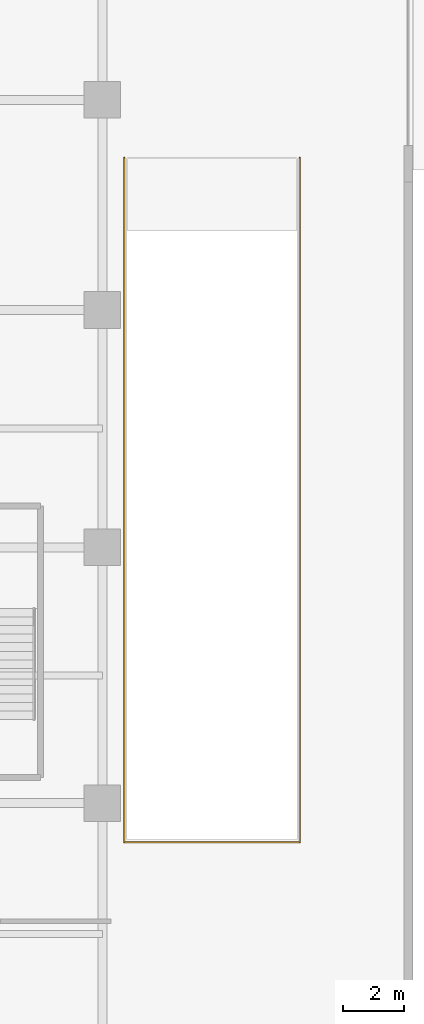
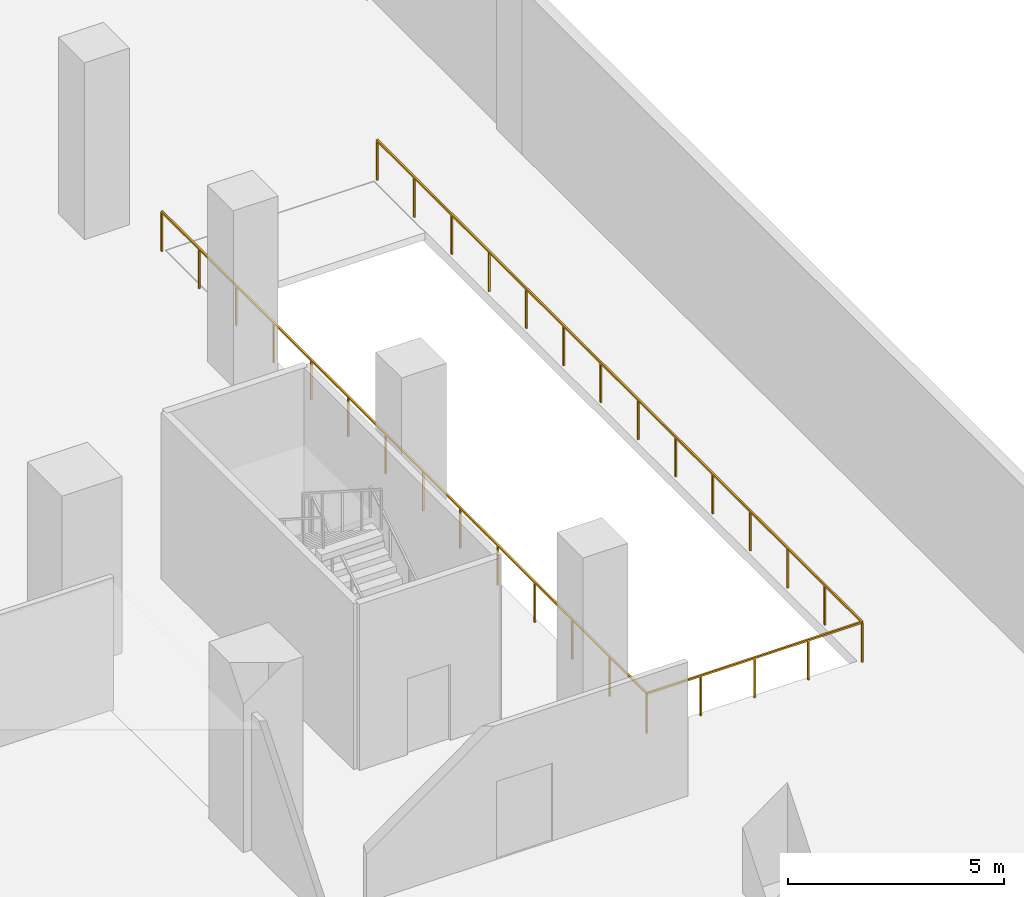
# One storey, part 26 of 27: 1 railing.
"""IFC4 building model written with IfcOpenShell, lengths in metres."""

from ifc_helpers import new_model, si_unit, direction, frame, origin, origin_2d, place, context, subcontext, project, spatial, rectangle, extrude, material, type_object, element, save


model = new_model("IFC4")

# Units and contexts
model_context = context("Model", 3, precision=1e-05, world=origin(), true_north=direction((0.0, 1.0)))
body_context = subcontext(model_context, "Body", "Model", "MODEL_VIEW")
ifc_project = project(units=[si_unit("LENGTHUNIT", "METRE"), si_unit("AREAUNIT", "SQUARE_METRE"), si_unit("VOLUMEUNIT", "CUBIC_METRE"), si_unit("PLANEANGLEUNIT", "RADIAN"), si_unit("MASSUNIT", "GRAM", prefix="KILO")], contexts=[model_context])

# Site, building, storey
site_placement = place(None, origin())
site = spatial("IfcSite", under=ifc_project, at=site_placement, CompositionType="ELEMENT")
building_placement = place(site_placement, origin())
building = spatial("IfcBuilding", under=site, at=building_placement, Name="Zarnakvel Exchange Tower", CompositionType="ELEMENT")
storey_placement = place(building_placement, origin())
storey = spatial("IfcBuildingStorey", under=building, at=storey_placement, Name="L00", CompositionType="ELEMENT", Elevation=0.0)

# Railing
ifc_material = material(Name="Architectural Bronze Anodised Aluminium", Category="aluminium")
railing_type = type_object("IfcRailingType", Name="SG-01", PredefinedType="GUARDRAIL", material=ifc_material)
railing_placement = place(storey_placement, frame((31.320068359375, 11.60009765625, 0.0)))
element("IfcRailing", 1, at=railing_placement, inside=storey, type_object=railing_type, Name="L00 Car Park Ramp Void Guardrail", PredefinedType="GUARDRAIL", context=body_context, shape_type="SweptSolid", body=[
    extrude(rectangle(XDim=0.048095703125, YDim=0.048095703125, at=origin_2d()), frame((0.0, 0.0, 1.1259765625), z_axis=(0.0, -1.0, 0.0), x_axis=(1.0, 0.0, 0.0)), (0.0, 0.0, 1.0), 22.47998046875),
    extrude(rectangle(XDim=0.048095703125, YDim=0.048095703125, at=origin_2d()), frame((0.0, -22.47998046875, 1.1259765625), z_axis=(1.0, 0.0, 0.0), x_axis=(0.0, 1.0, 0.0)), (0.0, 0.0, 1.0), 5.760009765625),
    extrude(rectangle(XDim=0.048095703125, YDim=0.048095703125, at=origin_2d()), frame((5.760009765625, -22.47998046875, 1.1259765625), z_axis=(0.0, 1.0, 0.0), x_axis=(-1.0, 0.0, 0.0)), (0.0, 0.0, 1.0), 22.47998046875),
    extrude(rectangle(XDim=0.0419921875, YDim=0.0419921875, at=origin_2d()), origin(), (0.0, 0.0, 1.0), 1.101806640625),
    extrude(rectangle(XDim=0.0419921875, YDim=0.0419921875, at=origin_2d()), frame((0.0, -1.729248046875, 0.0)), (0.0, 0.0, 1.0), 1.101806640625),
    extrude(rectangle(XDim=0.0419921875, YDim=0.0419921875, at=origin_2d()), frame((0.0, -3.45849609375, 0.0)), (0.0, 0.0, 1.0), 1.101806640625),
    extrude(rectangle(XDim=0.0419921875, YDim=0.0419921875, at=origin_2d()), frame((0.0, -5.187744140625, 0.0)), (0.0, 0.0, 1.0), 1.101806640625),
    extrude(rectangle(XDim=0.0419921875, YDim=0.0419921875, at=origin_2d()), frame((0.0, -6.9169921875, 0.0)), (0.0, 0.0, 1.0), 1.101806640625),
    extrude(rectangle(XDim=0.0419921875, YDim=0.0419921875, at=origin_2d()), frame((0.0, -8.646240234375, 0.0)), (0.0, 0.0, 1.0), 1.101806640625),
    extrude(rectangle(XDim=0.0419921875, YDim=0.0419921875, at=origin_2d()), frame((0.0, -10.37548828125, 0.0)), (0.0, 0.0, 1.0), 1.101806640625),
    extrude(rectangle(XDim=0.0419921875, YDim=0.0419921875, at=origin_2d()), frame((0.0, -12.1044921875, 0.0)), (0.0, 0.0, 1.0), 1.101806640625),
    extrude(rectangle(XDim=0.0419921875, YDim=0.0419921875, at=origin_2d()), frame((0.0, -13.833740234375, 0.0)), (0.0, 0.0, 1.0), 1.101806640625),
    extrude(rectangle(XDim=0.0419921875, YDim=0.0419921875, at=origin_2d()), frame((0.0, -15.56298828125, 0.0)), (0.0, 0.0, 1.0), 1.101806640625),
    extrude(rectangle(XDim=0.0419921875, YDim=0.0419921875, at=origin_2d()), frame((0.0, -17.292236328125, 0.0)), (0.0, 0.0, 1.0), 1.101806640625),
    extrude(rectangle(XDim=0.0419921875, YDim=0.0419921875, at=origin_2d()), frame((0.0, -19.021484375, 0.0)), (0.0, 0.0, 1.0), 1.101806640625),
    extrude(rectangle(XDim=0.0419921875, YDim=0.0419921875, at=origin_2d()), frame((0.0, -20.750732421875, 0.0)), (0.0, 0.0, 1.0), 1.101806640625),
    extrude(rectangle(XDim=0.0419921875, YDim=0.0419921875, at=origin_2d()), frame((0.0, -22.47998046875, 0.0)), (0.0, 0.0, 1.0), 1.101806640625),
    extrude(rectangle(XDim=0.0419921875, YDim=0.0419921875, at=origin_2d()), frame((1.43994140625, -22.47998046875, 0.0)), (0.0, 0.0, 1.0), 1.101806640625),
    extrude(rectangle(XDim=0.0419921875, YDim=0.0419921875, at=origin_2d()), frame((2.8798828125, -22.47998046875, 0.0)), (0.0, 0.0, 1.0), 1.101806640625),
    extrude(rectangle(XDim=0.0419921875, YDim=0.0419921875, at=origin_2d()), frame((4.320068359375, -22.47998046875, 0.0)), (0.0, 0.0, 1.0), 1.101806640625),
    extrude(rectangle(XDim=0.0419921875, YDim=0.0419921875, at=origin_2d()), frame((5.760009765625, -22.47998046875, 0.0)), (0.0, 0.0, 1.0), 1.101806640625),
    extrude(rectangle(XDim=0.0419921875, YDim=0.0419921875, at=origin_2d()), frame((5.760009765625, -20.750732421875, 0.0)), (0.0, 0.0, 1.0), 1.101806640625),
    extrude(rectangle(XDim=0.0419921875, YDim=0.0419921875, at=origin_2d()), frame((5.760009765625, -19.021484375, 0.0)), (0.0, 0.0, 1.0), 1.101806640625),
    extrude(rectangle(XDim=0.0419921875, YDim=0.0419921875, at=origin_2d()), frame((5.760009765625, -17.292236328125, 0.0)), (0.0, 0.0, 1.0), 1.101806640625),
    extrude(rectangle(XDim=0.0419921875, YDim=0.0419921875, at=origin_2d()), frame((5.760009765625, -15.56298828125, 0.0)), (0.0, 0.0, 1.0), 1.101806640625),
    extrude(rectangle(XDim=0.0419921875, YDim=0.0419921875, at=origin_2d()), frame((5.760009765625, -13.833740234375, 0.0)), (0.0, 0.0, 1.0), 1.101806640625),
    extrude(rectangle(XDim=0.0419921875, YDim=0.0419921875, at=origin_2d()), frame((5.760009765625, -12.1044921875, 0.0)), (0.0, 0.0, 1.0), 1.101806640625),
    extrude(rectangle(XDim=0.0419921875, YDim=0.0419921875, at=origin_2d()), frame((5.760009765625, -10.37548828125, 0.0)), (0.0, 0.0, 1.0), 1.101806640625),
    extrude(rectangle(XDim=0.0419921875, YDim=0.0419921875, at=origin_2d()), frame((5.760009765625, -8.646240234375, 0.0)), (0.0, 0.0, 1.0), 1.101806640625),
    extrude(rectangle(XDim=0.0419921875, YDim=0.0419921875, at=origin_2d()), frame((5.760009765625, -6.9169921875, 0.0)), (0.0, 0.0, 1.0), 1.101806640625),
    extrude(rectangle(XDim=0.0419921875, YDim=0.0419921875, at=origin_2d()), frame((5.760009765625, -5.187744140625, 0.0)), (0.0, 0.0, 1.0), 1.101806640625),
    extrude(rectangle(XDim=0.0419921875, YDim=0.0419921875, at=origin_2d()), frame((5.760009765625, -3.45849609375, 0.0)), (0.0, 0.0, 1.0), 1.101806640625),
    extrude(rectangle(XDim=0.0419921875, YDim=0.0419921875, at=origin_2d()), frame((5.760009765625, -1.729248046875, 0.0)), (0.0, 0.0, 1.0), 1.101806640625),
    extrude(rectangle(XDim=0.0419921875, YDim=0.0419921875, at=origin_2d()), frame((5.760009765625, 0.0, 0.0)), (0.0, 0.0, 1.0), 1.101806640625),
])

save(model, "model.ifc")
